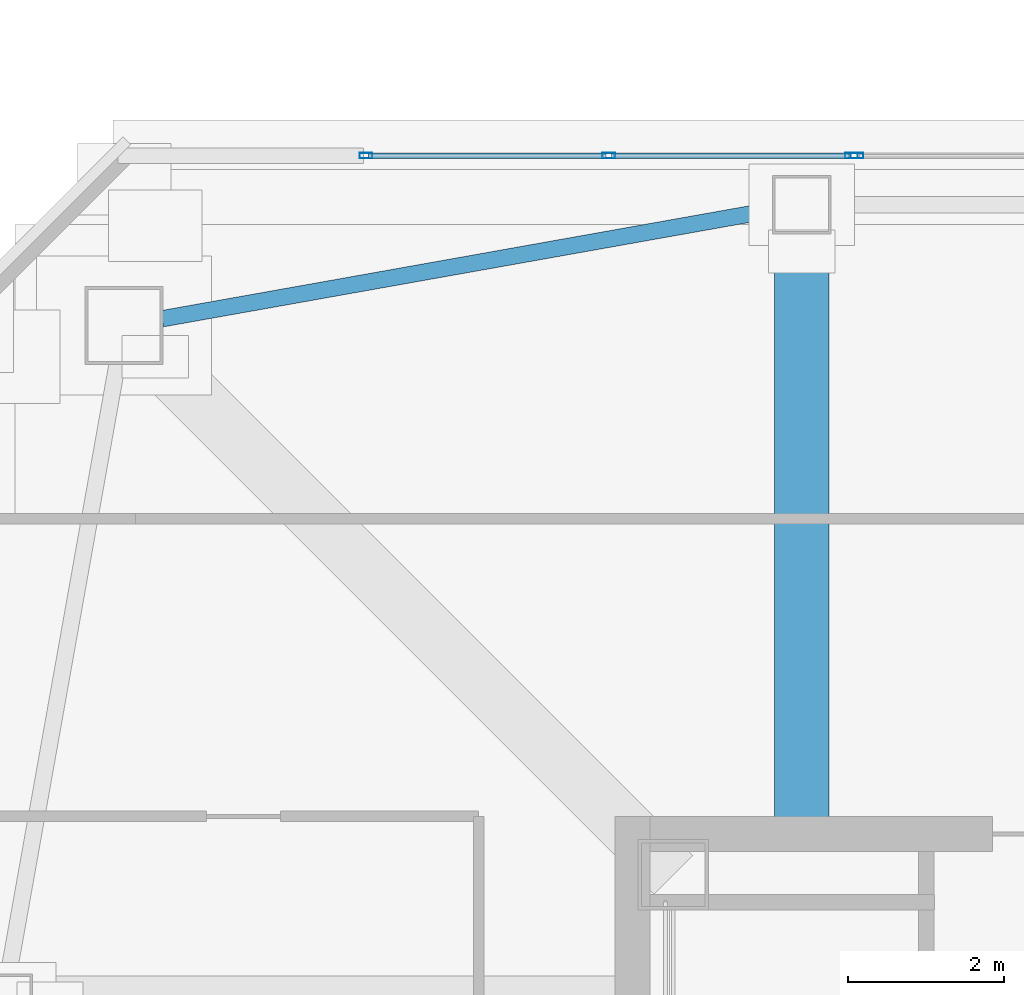
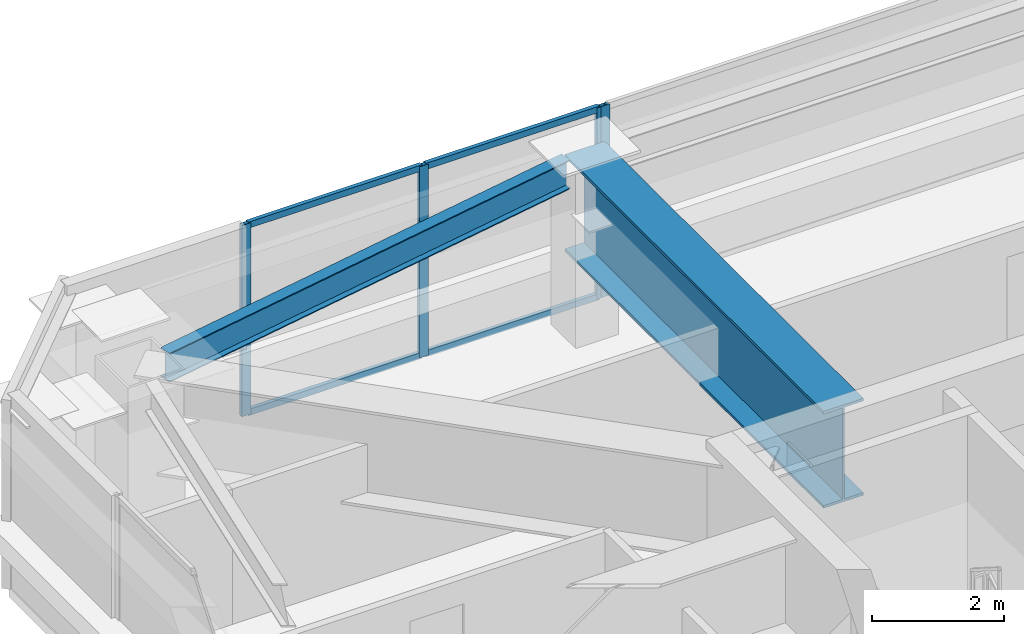
# One storey, part 13 of 40: 8 members, 2 beams, 2 elements without a shape of their own.
"""IFC4 building model written with IfcOpenShell, lengths in metres."""

from ifc_helpers import new_model, si_unit, direction, frame, origin, origin_2d, place, context, subcontext, project, spatial, hollow_rectangle, i_section, extrude, material, material_profile, profile_set, type_object, element, aggregate, save


model = new_model("IFC4")

# Units and contexts
model_context = context("Model", 3, precision=1e-05, world=origin(), true_north=direction((0.0, 1.0)))
body_context = subcontext(model_context, "Body", "Model", "MODEL_VIEW")
ifc_project = project(units=[si_unit("LENGTHUNIT", "METRE"), si_unit("AREAUNIT", "SQUARE_METRE"), si_unit("VOLUMEUNIT", "CUBIC_METRE"), si_unit("PLANEANGLEUNIT", "RADIAN"), si_unit("MASSUNIT", "GRAM", prefix="KILO")], contexts=[model_context])

# Site, building, storey
site_placement = place(None, origin())
site = spatial("IfcSite", under=ifc_project, at=site_placement, CompositionType="ELEMENT")
building_placement = place(site_placement, origin())
building = spatial("IfcBuilding", under=site, at=building_placement, Name="Tashvorn Skyway Center", CompositionType="ELEMENT")
storey_placement = place(building_placement, frame((0.0, 0.0, 229.050048828125)))
storey = spatial("IfcBuildingStorey", under=building, at=storey_placement, Name="L62", CompositionType="ELEMENT", Elevation=229.050048828125)

# Beams
ifc_material_1 = material(Name="Steel ASTM A572 Grade 50", Category="steel")
ifc_material_profile_1 = material_profile(ifc_material_1, i_section(OverallWidth=0.699951171875, OverallDepth=1.800048828125, WebThickness=0.031982421875, FlangeThickness=0.050048828125, at=origin_2d()), Name="PG1800x700")
ifc_profile_set_1 = profile_set([ifc_material_profile_1], Name="Steel ASTM A572 Grade 50")
beam_type_1 = type_object("IfcBeamType", Name="BM-BEAM-PG1800x700", PredefinedType="BEAM", material=ifc_profile_set_1)
beam_1_placement = place(storey_placement, frame((36.60009765625, 47.64990234375, 2.469970703125), z_axis=(0.0, -1.0, 0.0), x_axis=(1.0, 0.0, 0.0)))
element("IfcBeam", 1, at=beam_1_placement, inside=storey, type_object=beam_type_1, Name="Tower 1 L62 Setback Transfer Girder FC-N2", PredefinedType="BEAM", context=body_context, shape_type="SweptSolid", body=[
    extrude(i_section(OverallWidth=0.699951171875, OverallDepth=1.800048828125, WebThickness=0.031982421875, FlangeThickness=0.050048828125, at=origin_2d()), origin(), (0.0, 0.0, 1.0), 7.869873046875),
])
ifc_material_2 = material(Name="Steel ASTM A992 Grade 50", Category="steel")
ifc_material_profile_2 = material_profile(ifc_material_2, i_section(OverallWidth=0.2109375, OverallDepth=0.5390625, WebThickness=0.01171875, FlangeThickness=0.018798828125, at=origin_2d()), Name="W21X73")
ifc_profile_set_2 = profile_set([ifc_material_profile_2], Name="Steel ASTM A992 Grade 50")
beam_type_2 = type_object("IfcBeamType", Name="BM-SPANDREL-W21X73", PredefinedType="SPANDREL", material=ifc_profile_set_2)
beam_2_placement = place(storey_placement, frame((36.23583984375, 47.585205078125, 3.100341796875), z_axis=(-0.984494883191, -0.17541329759, 0.0), x_axis=(0.17541329759, -0.984494883191, 0.0)))
element("IfcBeam", 2, at=beam_2_placement, inside=storey, type_object=beam_type_2, Name="Tower 1 L62 Spandrel Beam 09", PredefinedType="SPANDREL", context=body_context, shape_type="SweptSolid", body=[
    extrude(i_section(OverallWidth=0.2109375, OverallDepth=0.5390625, WebThickness=0.01171875, FlangeThickness=0.018798828125, at=origin_2d()), origin(), (0.0, 0.0, 1.0), 7.97216796875),
])

# Curtain wall, members
ifc_material_3 = material(Name="Thermally broken bronze-anodized aluminium 6063-T6", Category="aluminium")
curtain_wall_type = type_object("IfcCurtainWallType", Name="CW-CW-Z5", PredefinedType="NOTDEFINED", material=ifc_material_3)
curtain_wall_1_placement = place(storey_placement, origin())
curtain_wall_1 = element("IfcCurtainWall", 3, at=curtain_wall_1_placement, inside=storey, type_object=curtain_wall_type, Name="Tower 1 L62 North Unitised Curtain Wall Glazing Group 1", PredefinedType="NOTDEFINED")
ifc_material_profile_3 = material_profile(ifc_material_3, hollow_rectangle(XDim=0.070068359375, YDim=0.1650390625, WallThickness=0.00390625, at=origin_2d()), Name="ALU-MULL-70x165")
ifc_profile_set_3 = profile_set([ifc_material_profile_3], Name="Thermally broken bronze-anodized aluminium 6063-T6")
member_type_1 = type_object("IfcMemberType", Name="CWM-CW-Z5", PredefinedType="MULLION", material=ifc_profile_set_3)
member_1_placement = place(storey_placement, frame((31.006103515625, 48.280029296875, 0.0), z_axis=(0.0, 0.0, 1.0), x_axis=(0.0, 1.0, 0.0)))
member_1 = element("IfcMember", 4, at=member_1_placement, type_object=member_type_1, Name="CW-Z5 mullion 1", PredefinedType="MULLION", context=body_context, shape_type="SweptSolid", body=[
    extrude(hollow_rectangle(XDim=0.070068359375, YDim=0.1650390625, WallThickness=0.00390625, at=origin_2d()), origin(), (0.0, 0.0, 1.0), 3.550048828125),
])
member_2_placement = place(storey_placement, frame((34.122314453125, 48.280029296875, 0.0), z_axis=(0.0, 0.0, 1.0), x_axis=(0.0, 1.0, 0.0)))
member_2 = element("IfcMember", 5, at=member_2_placement, type_object=member_type_1, Name="CW-Z5 mullion 2", PredefinedType="MULLION", context=body_context, shape_type="SweptSolid", body=[
    extrude(hollow_rectangle(XDim=0.070068359375, YDim=0.1650390625, WallThickness=0.00390625, at=origin_2d()), origin(), (0.0, 0.0, 1.0), 3.550048828125),
])
member_3_placement = place(storey_placement, frame((37.23828125, 48.280029296875, 0.0), z_axis=(0.0, 0.0, 1.0), x_axis=(0.0, 1.0, 0.0)))
member_3 = element("IfcMember", 6, at=member_3_placement, type_object=member_type_1, Name="CW-Z5 mullion 3", PredefinedType="MULLION", context=body_context, shape_type="SweptSolid", body=[
    extrude(hollow_rectangle(XDim=0.070068359375, YDim=0.1650390625, WallThickness=0.00390625, at=origin_2d()), origin(), (0.0, 0.0, 1.0), 3.550048828125),
])

# Curtain wall, member
curtain_wall_2_placement = place(storey_placement, origin())
curtain_wall_2 = element("IfcCurtainWall", 7, at=curtain_wall_2_placement, inside=storey, type_object=curtain_wall_type, Name="Tower 1 L62 North Unitised Curtain Wall Glazing Group 2", PredefinedType="NOTDEFINED")
member_4_placement = place(storey_placement, frame((37.308349609375, 48.280029296875, 0.0), z_axis=(0.0, 0.0, 1.0), x_axis=(0.0, 1.0, 0.0)))
member_4 = element("IfcMember", 8, at=member_4_placement, type_object=member_type_1, Name="CW-Z5 mullion 1", PredefinedType="MULLION", context=body_context, shape_type="SweptSolid", body=[
    extrude(hollow_rectangle(XDim=0.070068359375, YDim=0.1650390625, WallThickness=0.00390625, at=origin_2d()), origin(), (0.0, 0.0, 1.0), 3.550048828125),
])
aggregate(curtain_wall_2, [member_4])

# Member
ifc_material_profile_4 = material_profile(ifc_material_3, hollow_rectangle(XDim=0.070068359375, YDim=0.114990234375, WallThickness=0.00390625, at=origin_2d()), Name="ALU-TRAN-70x115")
ifc_profile_set_4 = profile_set([ifc_material_profile_4], Name="Thermally broken bronze-anodized aluminium 6063-T6")
member_type_2 = type_object("IfcMemberType", Name="CWT-CW-Z5", PredefinedType="USERDEFINED", material=ifc_profile_set_4)
member_5_placement = place(storey_placement, frame((31.041015625, 48.280029296875, 0.034912109375), z_axis=(1.0, 0.0, 0.0), x_axis=(0.0, 1.0, 0.0)))
member_5 = element("IfcMember", 9, at=member_5_placement, type_object=member_type_2, Name="CW-Z5 transom 1.1", ObjectType="TRANSOM", PredefinedType="USERDEFINED", context=body_context, shape_type="SweptSolid", body=[
    extrude(hollow_rectangle(XDim=0.070068359375, YDim=0.114990234375, WallThickness=0.00390625, at=origin_2d()), origin(), (0.0, 0.0, 1.0), 3.046142578125),
])

member_6_placement = place(storey_placement, frame((31.041015625, 48.280029296875, 3.514892578125), z_axis=(1.0, 0.0, 0.0), x_axis=(0.0, 1.0, 0.0)))
member_6 = element("IfcMember", 10, at=member_6_placement, type_object=member_type_2, Name="CW-Z5 transom 1.2", ObjectType="TRANSOM", PredefinedType="USERDEFINED", context=body_context, shape_type="SweptSolid", body=[
    extrude(hollow_rectangle(XDim=0.070068359375, YDim=0.114990234375, WallThickness=0.00390625, at=origin_2d()), origin(), (0.0, 0.0, 1.0), 3.046142578125),
])

member_7_placement = place(storey_placement, frame((34.1572265625, 48.280029296875, 0.034912109375), z_axis=(1.0, 0.0, 0.0), x_axis=(0.0, 1.0, 0.0)))
member_7 = element("IfcMember", 11, at=member_7_placement, type_object=member_type_2, Name="CW-Z5 transom 2.1", ObjectType="TRANSOM", PredefinedType="USERDEFINED", context=body_context, shape_type="SweptSolid", body=[
    extrude(hollow_rectangle(XDim=0.070068359375, YDim=0.114990234375, WallThickness=0.00390625, at=origin_2d()), origin(), (0.0, 0.0, 1.0), 3.046142578125),
])

member_8_placement = place(storey_placement, frame((34.1572265625, 48.280029296875, 3.514892578125), z_axis=(1.0, 0.0, 0.0), x_axis=(0.0, 1.0, 0.0)))
member_8 = element("IfcMember", 12, at=member_8_placement, type_object=member_type_2, Name="CW-Z5 transom 2.2", ObjectType="TRANSOM", PredefinedType="USERDEFINED", context=body_context, shape_type="SweptSolid", body=[
    extrude(hollow_rectangle(XDim=0.070068359375, YDim=0.114990234375, WallThickness=0.00390625, at=origin_2d()), origin(), (0.0, 0.0, 1.0), 3.046142578125),
])

aggregate(curtain_wall_1, [member_1, member_2, member_3, member_5, member_6, member_7, member_8])

save(model, "model.ifc")
